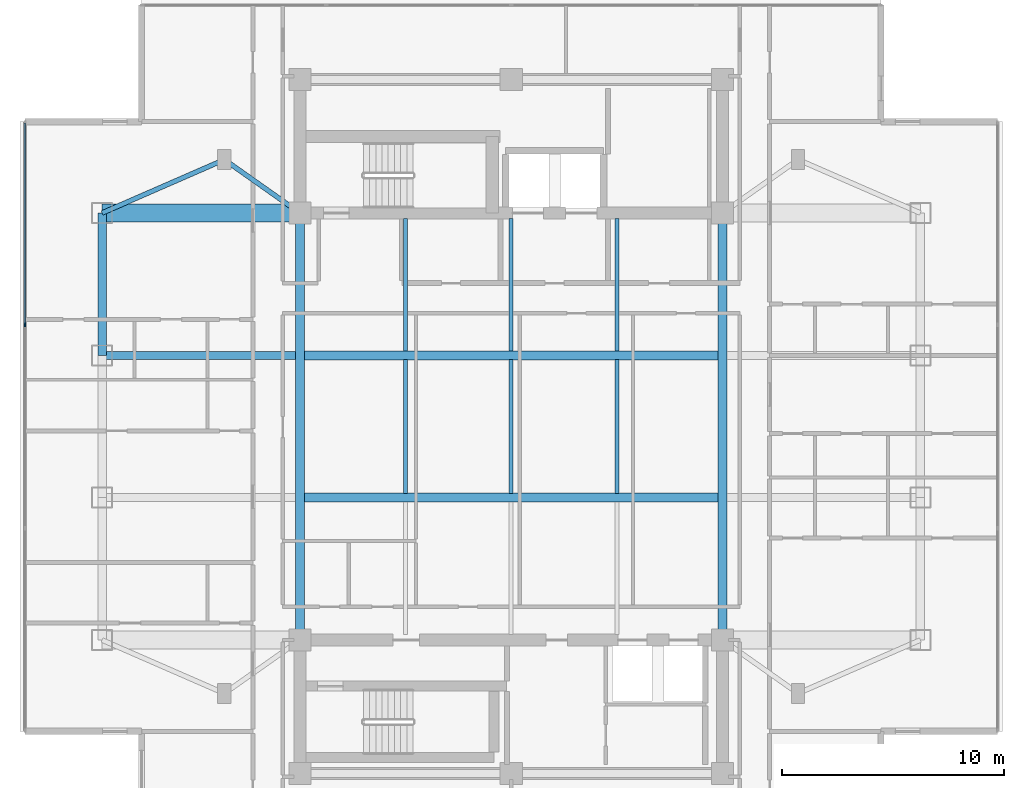
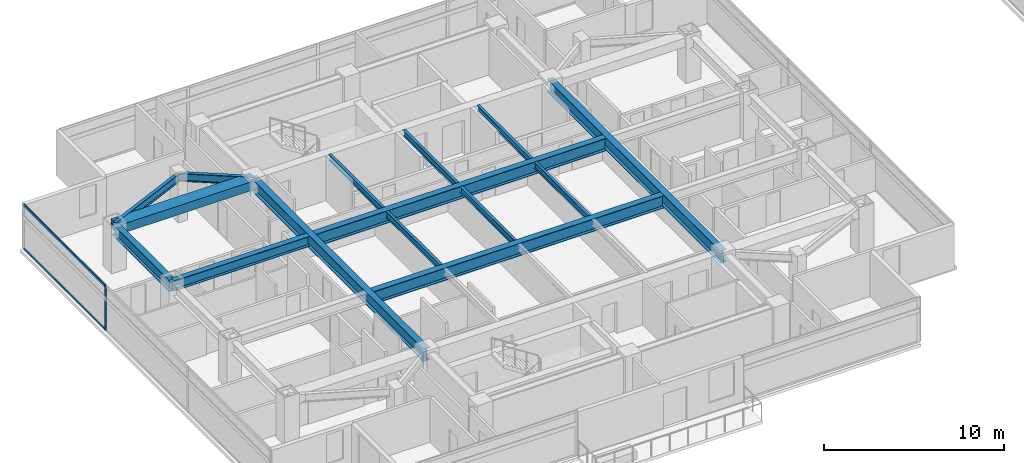
# One storey, part 3 of 25: 15 beams, 3 members, 1 element without a shape of its own.
"""IFC4 building model written with IfcOpenShell, lengths in metres."""

from ifc_helpers import new_model, si_unit, direction, frame, origin, origin_2d, place, context, subcontext, project, spatial, rectangle, i_section, extrude, material, material_profile, profile_set, type_object, element, aggregate, save


model = new_model("IFC4")

# Units and contexts
model_context = context("Model", 3, precision=1e-05, world=origin(), true_north=direction((0.0, 1.0)))
body_context = subcontext(model_context, "Body", "Model", "MODEL_VIEW")
ifc_project = project(units=[si_unit("LENGTHUNIT", "METRE"), si_unit("AREAUNIT", "SQUARE_METRE"), si_unit("VOLUMEUNIT", "CUBIC_METRE"), si_unit("PLANEANGLEUNIT", "RADIAN"), si_unit("MASSUNIT", "GRAM", prefix="KILO")], contexts=[model_context])

# Site, building, storey
site_placement = place(None, origin())
site = spatial("IfcSite", under=ifc_project, at=site_placement, CompositionType="ELEMENT")
building_placement = place(site_placement, origin())
building = spatial("IfcBuilding", under=site, at=building_placement, Name="Mirazonda Arch Towers", CompositionType="ELEMENT")
storey_placement = place(building_placement, frame((0.0, 0.0, 180.39990234375)))
storey = spatial("IfcBuildingStorey", under=building, at=storey_placement, Name="L51", CompositionType="ELEMENT", Elevation=180.39990234375)

# Beams
ifc_material_1 = material(Name="Steel ASTM A992 Grade 50", Category="steel")
ifc_material_profile_1 = material_profile(ifc_material_1, i_section(OverallWidth=0.381103515625, OverallDepth=0.77294921875, WebThickness=0.0166015625, FlangeThickness=0.027099609375, at=origin_2d()), Name="W30X173")
ifc_profile_set_1 = profile_set([ifc_material_profile_1], Name="Steel ASTM A992 Grade 50")
beam_type_1 = type_object("IfcBeamType", Name="BM-EXT-W30X173", PredefinedType="USERDEFINED", material=ifc_profile_set_1)
beam_1_placement = place(storey_placement, frame((2.10009765625, 31.199951171875, 2.66357421875), z_axis=(0.0, 1.0, 0.0), x_axis=(-1.0, 0.0, 0.0)))
element("IfcBeam", 1, at=beam_1_placement, inside=storey, type_object=beam_type_1, Name="L51 Floor Beam BM-T1-L51-NS-W-31", ObjectType="GIRDER", PredefinedType="USERDEFINED", context=body_context, shape_type="SweptSolid", body=[
    extrude(i_section(OverallWidth=0.381103515625, OverallDepth=0.77294921875, WebThickness=0.0166015625, FlangeThickness=0.027099609375, at=origin_2d()), origin(), (0.0, 0.0, 1.0), 6.400146484375),
])
ifc_material_profile_2 = material_profile(ifc_material_1, i_section(OverallWidth=0.180908203125, OverallDepth=0.4169921875, WebThickness=0.010986328125, FlangeThickness=0.018310546875, at=origin_2d()), Name="W16X57")
ifc_profile_set_2 = profile_set([ifc_material_profile_2], Name="Steel ASTM A992 Grade 50")
beam_type_2 = type_object("IfcBeamType", Name="BM-INT-W16X57", PredefinedType="JOIST", material=ifc_profile_set_2)
beam_2_placement = place(storey_placement, frame((15.75, 31.39599609375, 2.841552734375), z_axis=(0.0, 1.0, 0.0), x_axis=(-1.0, 0.0, 0.0)))
element("IfcBeam", 2, at=beam_2_placement, inside=storey, type_object=beam_type_2, Name="L51 Floor Beam BM-T1-L51-J-157-31", PredefinedType="JOIST", context=body_context, shape_type="SweptSolid", body=[
    extrude(i_section(OverallWidth=0.180908203125, OverallDepth=0.4169921875, WebThickness=0.010986328125, FlangeThickness=0.018310546875, at=origin_2d()), origin(), (0.0, 0.0, 1.0), 5.964111328125),
])
beam_3_placement = place(storey_placement, frame((15.75, 24.99609375, 2.841552734375), z_axis=(0.0, 1.0, 0.0), x_axis=(-1.0, 0.0, 0.0)))
element("IfcBeam", 3, at=beam_3_placement, inside=storey, type_object=beam_type_2, Name="L51 Floor Beam BM-T1-L51-J-157-24", PredefinedType="JOIST", context=body_context, shape_type="SweptSolid", body=[
    extrude(i_section(OverallWidth=0.180908203125, OverallDepth=0.4169921875, WebThickness=0.010986328125, FlangeThickness=0.018310546875, at=origin_2d()), origin(), (0.0, 0.0, 1.0), 6.0078125),
])
beam_4_placement = place(storey_placement, frame((20.5, 31.39599609375, 2.841552734375), z_axis=(0.0, 1.0, 0.0), x_axis=(-1.0, 0.0, 0.0)))
element("IfcBeam", 4, at=beam_4_placement, inside=storey, type_object=beam_type_2, Name="L51 Floor Beam BM-T1-L51-J-205-31", PredefinedType="JOIST", context=body_context, shape_type="SweptSolid", body=[
    extrude(i_section(OverallWidth=0.180908203125, OverallDepth=0.4169921875, WebThickness=0.010986328125, FlangeThickness=0.018310546875, at=origin_2d()), origin(), (0.0, 0.0, 1.0), 5.964111328125),
])
beam_5_placement = place(storey_placement, frame((20.5, 24.99609375, 2.841552734375), z_axis=(0.0, 1.0, 0.0), x_axis=(-1.0, 0.0, 0.0)))
element("IfcBeam", 5, at=beam_5_placement, inside=storey, type_object=beam_type_2, Name="L51 Floor Beam BM-T1-L51-J-205-24", PredefinedType="JOIST", context=body_context, shape_type="SweptSolid", body=[
    extrude(i_section(OverallWidth=0.180908203125, OverallDepth=0.4169921875, WebThickness=0.010986328125, FlangeThickness=0.018310546875, at=origin_2d()), origin(), (0.0, 0.0, 1.0), 6.0078125),
])
beam_6_placement = place(storey_placement, frame((25.25, 31.39599609375, 2.841552734375), z_axis=(0.0, 1.0, 0.0), x_axis=(-1.0, 0.0, 0.0)))
element("IfcBeam", 6, at=beam_6_placement, inside=storey, type_object=beam_type_2, Name="L51 Floor Beam BM-T1-L51-J-252-31", PredefinedType="JOIST", context=body_context, shape_type="SweptSolid", body=[
    extrude(i_section(OverallWidth=0.180908203125, OverallDepth=0.4169921875, WebThickness=0.010986328125, FlangeThickness=0.018310546875, at=origin_2d()), origin(), (0.0, 0.0, 1.0), 5.964111328125),
])
beam_7_placement = place(storey_placement, frame((25.25, 24.99609375, 2.841552734375), z_axis=(0.0, 1.0, 0.0), x_axis=(-1.0, 0.0, 0.0)))
element("IfcBeam", 7, at=beam_7_placement, inside=storey, type_object=beam_type_2, Name="L51 Floor Beam BM-T1-L51-J-252-24", PredefinedType="JOIST", context=body_context, shape_type="SweptSolid", body=[
    extrude(i_section(OverallWidth=0.180908203125, OverallDepth=0.4169921875, WebThickness=0.010986328125, FlangeThickness=0.018310546875, at=origin_2d()), origin(), (0.0, 0.0, 1.0), 6.0078125),
])
ifc_material_profile_3 = material_profile(ifc_material_1, i_section(OverallWidth=0.214111328125, OverallDepth=0.549072265625, WebThickness=0.0146484375, FlangeThickness=0.023681640625, at=origin_2d()), Name="W21X93")
ifc_profile_set_3 = profile_set([ifc_material_profile_3], Name="Steel ASTM A992 Grade 50")
beam_type_3 = type_object("IfcBeamType", Name="BM-INT-W21X93", PredefinedType="BEAM", material=ifc_profile_set_3)
beam_8_placement = place(storey_placement, frame((7.60009765625, 40.0, 2.775634765625), z_axis=(0.816971114901, -0.576678591087, 0.0), x_axis=(0.576678591087, 0.816971114901, 0.0)))
element("IfcBeam", 8, at=beam_8_placement, inside=storey, type_object=beam_type_3, Name="L51 Floor Beam BM-T1-L51-PL-NW1", PredefinedType="BEAM", context=body_context, shape_type="SweptSolid", body=[
    extrude(i_section(OverallWidth=0.214111328125, OverallDepth=0.549072265625, WebThickness=0.0146484375, FlangeThickness=0.023681640625, at=origin_2d()), origin(), (0.0, 0.0, 1.0), 4.16162109375),
])
beam_9_placement = place(storey_placement, frame((7.60009765625, 40.0, 2.775634765625), z_axis=(-0.916545343703, -0.399930785183, 0.0), x_axis=(0.399930785183, -0.916545343703, 0.0)))
element("IfcBeam", 9, at=beam_9_placement, inside=storey, type_object=beam_type_3, Name="L51 Floor Beam BM-T1-L51-PL-NW2", PredefinedType="BEAM", context=body_context, shape_type="SweptSolid", body=[
    extrude(i_section(OverallWidth=0.214111328125, OverallDepth=0.549072265625, WebThickness=0.0146484375, FlangeThickness=0.023681640625, at=origin_2d()), origin(), (0.0, 0.0, 1.0), 6.000732421875),
])
ifc_material_profile_4 = material_profile(ifc_material_1, i_section(OverallWidth=0.35498046875, OverallDepth=0.696044921875, WebThickness=0.015380859375, FlangeThickness=0.02490234375, at=origin_2d()), Name="W27X146")
ifc_profile_set_4 = profile_set([ifc_material_profile_4], Name="Steel ASTM A992 Grade 50")
beam_type_4 = type_object("IfcBeamType", Name="BM-INT-W27X146", PredefinedType="BEAM", material=ifc_profile_set_4)
beam_10_placement = place(storey_placement, frame((2.10009765625, 31.199951171875, 2.7021484375), z_axis=(1.0, 0.0, 0.0), x_axis=(0.0, 1.0, 0.0)))
element("IfcBeam", 10, at=beam_10_placement, inside=storey, type_object=beam_type_4, Name="L51 Floor Beam BM-T1-L51-GW3", PredefinedType="BEAM", context=body_context, shape_type="SweptSolid", body=[
    extrude(i_section(OverallWidth=0.35498046875, OverallDepth=0.696044921875, WebThickness=0.015380859375, FlangeThickness=0.02490234375, at=origin_2d()), origin(), (0.0, 0.0, 1.0), 8.699951171875),
])
ifc_material_profile_5 = material_profile(ifc_material_1, i_section(OverallWidth=0.39990234375, OverallDepth=0.85595703125, WebThickness=0.018310546875, FlangeThickness=0.029296875, at=origin_2d()), Name="W33X201")
ifc_profile_set_5 = profile_set([ifc_material_profile_5], Name="Steel ASTM A992 Grade 50")
beam_type_5 = type_object("IfcBeamType", Name="BM-INT-W33X201", PredefinedType="USERDEFINED", material=ifc_profile_set_5)
for number, where, z_axis, x_axis, name in (
    (11, (11.199951171875, 24.800048828125, 2.6220703125), (1.0, 0.0, 0.0), (0.0, 1.0, 0.0), "L51 Floor Beam BM-T1-L51-GC2"),
    (12, (11.199951171875, 31.199951171875, 2.6220703125), (1.0, 0.0, 0.0), (0.0, 1.0, 0.0), "L51 Floor Beam BM-T1-L51-GC3"),
):
    element("IfcBeam", number, at=place(storey_placement, frame(where, z_axis=z_axis, x_axis=x_axis)), inside=storey, type_object=beam_type_5, Name=name, ObjectType="GIRDER", PredefinedType="USERDEFINED", context=body_context, shape_type="SweptSolid", body=[
        extrude(i_section(OverallWidth=0.39990234375, OverallDepth=0.85595703125, WebThickness=0.018310546875, FlangeThickness=0.029296875, at=origin_2d()), origin(), (0.0, 0.0, 1.0), 18.60009765625),
    ])
for number, where, z_axis, x_axis, name in (
    (13, (11.0, 18.39990234375, 2.6220703125), (0.0, 1.0, 0.0), (-1.0, 0.0, 0.0), "L51 Floor Beam BM-T1-L51-NS-CW-FULL"),
    (14, (30.0, 18.39990234375, 2.6220703125), (0.0, 1.0, 0.0), (-1.0, 0.0, 0.0), "L51 Floor Beam BM-T1-L51-NS-CE-FULL"),
):
    element("IfcBeam", number, at=place(storey_placement, frame(where, z_axis=z_axis, x_axis=x_axis)), inside=storey, type_object=beam_type_5, Name=name, ObjectType="GIRDER", PredefinedType="USERDEFINED", context=body_context, shape_type="SweptSolid", body=[
        extrude(i_section(OverallWidth=0.39990234375, OverallDepth=0.85595703125, WebThickness=0.018310546875, FlangeThickness=0.029296875, at=origin_2d()), origin(), (0.0, 0.0, 1.0), 19.2001953125),
    ])
ifc_material_2 = material(Name="Concrete C60/75", Category="concrete")
ifc_material_profile_6 = material_profile(ifc_material_2, rectangle(XDim=0.800048828125, YDim=0.60009765625, at=origin_2d()), Name="RCCB800x600")
ifc_profile_set_6 = profile_set([ifc_material_profile_6], Name="Concrete C60/75")
beam_type_6 = type_object("IfcBeamType", Name="CB-INT-RCCB800x600", PredefinedType="SPANDREL", material=ifc_profile_set_6)
beam_11_placement = place(storey_placement, frame((2.10009765625, 37.60009765625, 2.75), z_axis=(1.0, 0.0, 0.0), x_axis=(0.0, 1.0, 0.0)))
element("IfcBeam", 15, at=beam_11_placement, inside=storey, type_object=beam_type_6, Name="L51 Floor Beam CBC-T1-L51-NW", PredefinedType="SPANDREL", context=body_context, shape_type="SweptSolid", body=[
    extrude(rectangle(XDim=0.800048828125, YDim=0.60009765625, at=origin_2d()), origin(), (0.0, 0.0, 1.0), 8.89990234375),
])

# Curtain wall, members
ifc_material_3 = material(Name="Anodised Aluminium and Low-E Glass", Category="aluminium")
curtain_wall_type = type_object("IfcCurtainWallType", Name="CW-RES-UNIT", PredefinedType="NOTDEFINED", material=ifc_material_3)
curtain_wall_placement = place(storey_placement, origin())
curtain_wall = element("IfcCurtainWall", 16, at=curtain_wall_placement, inside=storey, type_object=curtain_wall_type, Name="L51 T1 W Facade CW-L51-T1-W", PredefinedType="NOTDEFINED")
ifc_material_4 = material(Name="Anodised Aluminium Alloy", Category="aluminium")
ifc_material_profile_7 = material_profile(ifc_material_4, rectangle(XDim=0.074951171875, YDim=0.175048828125, at=origin_2d()), Name="ALU-MULL-75x175")
ifc_profile_set_7 = profile_set([ifc_material_profile_7], Name="Anodised Aluminium Alloy")
member_type_1 = type_object("IfcMemberType", Name="MULL-CW-RES-UNIT", PredefinedType="MULLION", material=ifc_profile_set_7)
member_1_placement = place(storey_placement, frame((-1.3701171875, 32.569580078125, 0.0), z_axis=(0.0, 0.0, 1.0), x_axis=(1.0, 0.0, 0.0)))
member_1 = element("IfcMember", 17, at=member_1_placement, type_object=member_type_1, Name="CW-104 mullion 2", PredefinedType="MULLION", context=body_context, shape_type="SweptSolid", body=[
    extrude(rectangle(XDim=0.074951171875, YDim=0.175048828125, at=origin_2d()), origin(), (0.0, 0.0, 1.0), 3.030029296875),
])
ifc_material_profile_8 = material_profile(ifc_material_4, rectangle(XDim=0.074951171875, YDim=0.155029296875, at=origin_2d()), Name="ALU-TRAN-75x155")
ifc_profile_set_8 = profile_set([ifc_material_profile_8], Name="Anodised Aluminium Alloy")
member_type_2 = type_object("IfcMemberType", Name="TRAN-CW-RES-UNIT", PredefinedType="USERDEFINED", material=ifc_profile_set_8)
member_2_placement = place(storey_placement, frame((-1.3701171875, 41.634033203125, 0.03759765625), z_axis=(0.0, -1.0, 0.0), x_axis=(1.0, 0.0, 0.0)))
member_2 = element("IfcMember", 18, at=member_2_placement, type_object=member_type_2, Name="CW-104 transom 1.1", ObjectType="TRANSOM", PredefinedType="USERDEFINED", context=body_context, shape_type="SweptSolid", body=[
    extrude(rectangle(XDim=0.074951171875, YDim=0.155029296875, at=origin_2d()), origin(), (0.0, 0.0, 1.0), 9.02685546875),
])
member_3_placement = place(storey_placement, frame((-1.3701171875, 41.634033203125, 2.99267578125), z_axis=(0.0, -1.0, 0.0), x_axis=(1.0, 0.0, 0.0)))
member_3 = element("IfcMember", 19, at=member_3_placement, type_object=member_type_2, Name="CW-104 transom 1.2", ObjectType="TRANSOM", PredefinedType="USERDEFINED", context=body_context, shape_type="SweptSolid", body=[
    extrude(rectangle(XDim=0.074951171875, YDim=0.155029296875, at=origin_2d()), origin(), (0.0, 0.0, 1.0), 9.02685546875),
])
aggregate(curtain_wall, [member_1, member_2, member_3])

save(model, "model.ifc")
